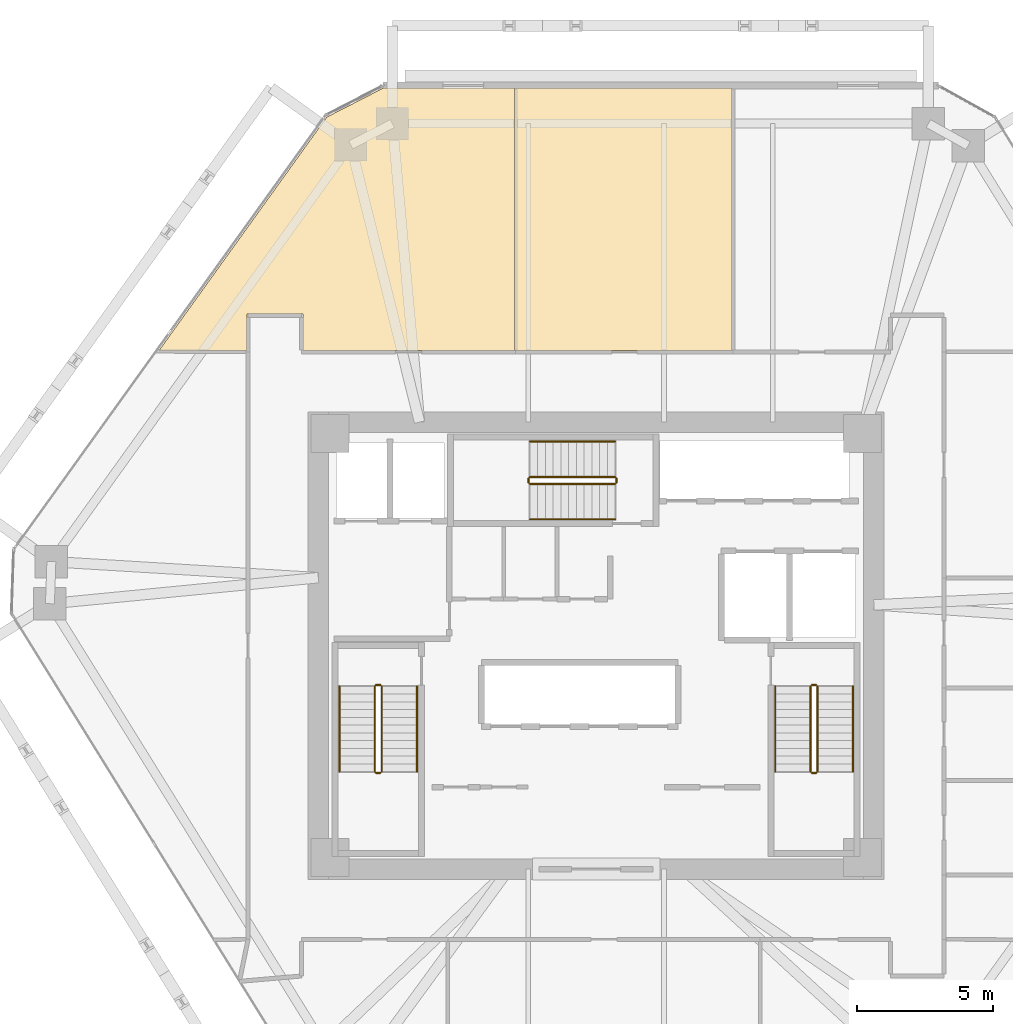
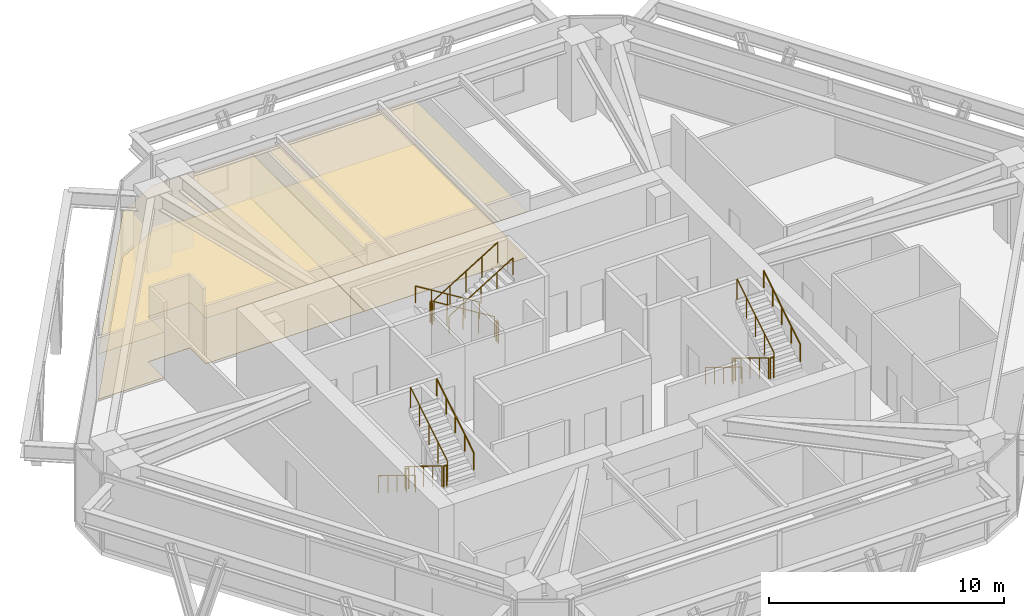
# One storey, part 13 of 14: 18 railings, 4 coverings.
"""IFC4 building model written with IfcOpenShell, lengths in metres."""

from ifc_helpers import new_model, si_unit, direction, frame, origin, origin_2d, place, context, subcontext, project, spatial, polyline, circle, outline, extrude, material, layer, layer_set, type_object, element, save


model = new_model("IFC4")

# Units and contexts
model_context = context("Model", 3, precision=1e-05, world=origin(), true_north=direction((0.0, 1.0)))
body_context = subcontext(model_context, "Body", "Model", "MODEL_VIEW")
ifc_project = project(units=[si_unit("LENGTHUNIT", "METRE"), si_unit("AREAUNIT", "SQUARE_METRE"), si_unit("VOLUMEUNIT", "CUBIC_METRE"), si_unit("PLANEANGLEUNIT", "RADIAN"), si_unit("MASSUNIT", "GRAM", prefix="KILO")], contexts=[model_context])

# Site, building, storey
site_placement = place(None, origin())
site = spatial("IfcSite", under=ifc_project, at=site_placement, CompositionType="ELEMENT")
building_placement = place(site_placement, origin())
building = spatial("IfcBuilding", under=site, at=building_placement, Name="Durnholm Broadcast Tower", CompositionType="ELEMENT")
storey_placement = place(building_placement, frame((0.0, 0.0, 93.300048828125)))
storey = spatial("IfcBuildingStorey", under=building, at=storey_placement, Name="L24", CompositionType="ELEMENT", Elevation=93.300048828125)

# Coverings
ifc_material_1 = material(Name="Mineral Fiber Acoustic Ceiling Tile", Category="concrete")
ifc_layer_1 = layer(ifc_material_1, 0.02490234375)
ifc_layer_set_1 = layer_set([ifc_layer_1], Name="Mineral Fiber Acoustic Ceiling Tile")
covering_type_1 = type_object("IfcCoveringType", Name="COV-CEIL-AC", PredefinedType="CEILING", material=ifc_layer_set_1)
covering_1_placement = place(storey_placement, frame((0.0, 0.0, 2.349853515625)))
element("IfcCovering", 1, at=covering_1_placement, inside=storey, type_object=covering_type_1, Name="L24 Open Plan Broadcast Workspace 2 acoustic ceiling", PredefinedType="CEILING", context=body_context, shape_type="SweptSolid", body=[
    extrude(outline(polyline([(-10.796875, 12.203857421875), (-10.79638671875, 12.20361328125), (-10.796142578125, 12.203125), (-10.7958984375, 12.202880859375), (-10.795654296875, 12.202392578125), (-10.79541015625, 12.201904296875), (-10.795166015625, 12.201416015625), (-10.795166015625, 12.200927734375), (-10.794921875, 12.200439453125), (-10.794921875, 12.199951171875), (-10.794921875, 10.85498046875), (-3.0048828125, 10.85498046875), (-3.0048828125, 20.530029296875), (-7.815673828125, 20.530029296875), (-9.91455078125, 19.453369140625), (-16.091796875, 10.85498046875), (-12.85498046875, 10.85498046875), (-12.85498046875, 12.199951171875), (-12.85498046875, 12.200439453125), (-12.85498046875, 12.200927734375), (-12.854736328125, 12.201416015625), (-12.8544921875, 12.201904296875), (-12.8544921875, 12.202392578125), (-12.854248046875, 12.202880859375), (-12.85400390625, 12.203125), (-12.853515625, 12.20361328125), (-12.853271484375, 12.203857421875), (-12.852783203125, 12.2041015625), (-12.852294921875, 12.204345703125), (-12.851806640625, 12.20458984375), (-12.8515625, 12.204833984375), (-12.85107421875, 12.204833984375), (-12.8505859375, 12.205078125), (-12.85009765625, 12.205078125), (-10.800048828125, 12.205078125), (-10.799560546875, 12.205078125), (-10.799072265625, 12.204833984375), (-10.798583984375, 12.204833984375), (-10.798095703125, 12.20458984375), (-10.797607421875, 12.204345703125), (-10.797119140625, 12.2041015625), (-10.796875, 12.203857421875)])), origin(), (0.0, 0.0, 1.0), 0.025146484375),
])
covering_2_placement = place(storey_placement, frame((0.0, 0.0, 2.349853515625)))
element("IfcCovering", 2, at=covering_2_placement, inside=storey, type_object=covering_type_1, Name="L24 Broadcast Espresso Dining Room acoustic ceiling", PredefinedType="CEILING", context=body_context, shape_type="SweptSolid", body=[
    extrude(outline(polyline([(-2.9951171875, 10.85498046875), (4.9951171875, 10.85498046875), (4.9951171875, 20.530029296875), (-2.9951171875, 20.530029296875), (-2.9951171875, 10.85498046875)])), origin(), (0.0, 0.0, 1.0), 0.025146484375),
])
ifc_material_2 = material(Name="Engineered Oak Acoustic Broadcast Flooring", Category="wood")
ifc_layer_2 = layer(ifc_material_2, 0.02001953125)
ifc_layer_set_2 = layer_set([ifc_layer_2], Name="Engineered Oak Acoustic Broadcast Flooring")
covering_type_2 = type_object("IfcCoveringType", Name="COV-FLR-OAK", PredefinedType="FLOORING", material=ifc_layer_set_2)
covering_3_placement = place(storey_placement, origin())
element("IfcCovering", 3, at=covering_3_placement, inside=storey, type_object=covering_type_2, Name="L24 Open Plan Broadcast Workspace 2 acoustic oak flooring", PredefinedType="FLOORING", context=body_context, shape_type="SweptSolid", body=[
    extrude(outline(polyline([(-10.796875, 12.203857421875), (-10.79638671875, 12.20361328125), (-10.796142578125, 12.203125), (-10.7958984375, 12.202880859375), (-10.795654296875, 12.202392578125), (-10.79541015625, 12.201904296875), (-10.795166015625, 12.201416015625), (-10.795166015625, 12.200927734375), (-10.794921875, 12.200439453125), (-10.794921875, 12.199951171875), (-10.794921875, 10.85498046875), (-3.0048828125, 10.85498046875), (-3.0048828125, 20.530029296875), (-7.815673828125, 20.530029296875), (-9.91455078125, 19.453369140625), (-16.091796875, 10.85498046875), (-12.85498046875, 10.85498046875), (-12.85498046875, 12.199951171875), (-12.85498046875, 12.200439453125), (-12.85498046875, 12.200927734375), (-12.854736328125, 12.201416015625), (-12.8544921875, 12.201904296875), (-12.8544921875, 12.202392578125), (-12.854248046875, 12.202880859375), (-12.85400390625, 12.203125), (-12.853515625, 12.20361328125), (-12.853271484375, 12.203857421875), (-12.852783203125, 12.2041015625), (-12.852294921875, 12.204345703125), (-12.851806640625, 12.20458984375), (-12.8515625, 12.204833984375), (-12.85107421875, 12.204833984375), (-12.8505859375, 12.205078125), (-12.85009765625, 12.205078125), (-10.800048828125, 12.205078125), (-10.799560546875, 12.205078125), (-10.799072265625, 12.204833984375), (-10.798583984375, 12.204833984375), (-10.798095703125, 12.20458984375), (-10.797607421875, 12.204345703125), (-10.797119140625, 12.2041015625), (-10.796875, 12.203857421875)])), origin(), (0.0, 0.0, 1.0), 0.02001953125),
])
covering_4_placement = place(storey_placement, origin())
element("IfcCovering", 4, at=covering_4_placement, inside=storey, type_object=covering_type_2, Name="L24 Broadcast Espresso Dining Room acoustic oak flooring", PredefinedType="FLOORING", context=body_context, shape_type="SweptSolid", body=[
    extrude(outline(polyline([(-2.9951171875, 10.85498046875), (4.9951171875, 10.85498046875), (4.9951171875, 20.530029296875), (-2.9951171875, 20.530029296875), (-2.9951171875, 10.85498046875)])), origin(), (0.0, 0.0, 1.0), 0.02001953125),
])

# Railings
ifc_material_3 = material(Name="Painted Tubular Steel Stair Guardrail", Category="steel")
railing_type_1 = type_object("IfcRailingType", Name="RAIL-ST-GRD", PredefinedType="GUARDRAIL", material=ifc_material_3)
railing_1_placement = place(storey_placement, frame((-8.14990234375, -1.5, 0.175048828125)))
element("IfcRailing", 5, at=railing_1_placement, inside=storey, type_object=railing_type_1, Name="L24 ST-1 stair guard 1", PredefinedType="GUARDRAIL", context=body_context, shape_type="SweptSolid", body=[
    extrude(circle(Radius=0.02392578125, at=origin_2d()), frame((0.0, 0.0, 1.076171875), z_axis=(0.0, -0.852195625947, 0.523223293744), x_axis=(1.0, 0.0, 0.0)), (0.0, 0.0, 1.0), 3.6787109375),
    extrude(circle(Radius=0.02099609375, at=origin_2d()), origin(), (0.0, 0.0, 1.0), 1.052001953125),
    extrude(circle(Radius=0.02099609375, at=origin_2d()), frame((0.0, -0.78369140625, 0.481201171875)), (0.0, 0.0, 1.0), 1.052001953125),
    extrude(circle(Radius=0.02099609375, at=origin_2d()), frame((0.0, -1.5673828125, 0.96240234375)), (0.0, 0.0, 1.0), 1.052001953125),
    extrude(circle(Radius=0.02099609375, at=origin_2d()), frame((0.0, -2.351318359375, 1.443603515625)), (0.0, 0.0, 1.0), 1.052001953125),
    extrude(circle(Radius=0.02099609375, at=origin_2d()), frame((0.0, -3.135009765625, 1.9248046875)), (0.0, 0.0, 1.0), 1.052001953125),
])
railing_2_placement = place(storey_placement, frame((-8.10009765625, -4.68505859375, 2.099853515625)))
element("IfcRailing", 6, at=railing_2_placement, inside=storey, type_object=railing_type_1, Name="L24 ST-1 stair guard 2", PredefinedType="GUARDRAIL", context=body_context, shape_type="SweptSolid", body=[
    extrude(circle(Radius=0.02392578125, at=origin_2d()), frame((0.0, 0.0, 1.076171875), z_axis=(1.0, 0.0, 0.0), x_axis=(0.0, 1.0, 0.0)), (0.0, 0.0, 1.0), 0.16015625),
    extrude(circle(Radius=0.02099609375, at=origin_2d()), origin(), (0.0, 0.0, 1.0), 1.052001953125),
    extrude(circle(Radius=0.02099609375, at=origin_2d()), frame((0.16015625, 0.0, 0.0)), (0.0, 0.0, 1.0), 1.052001953125),
])
railing_3_placement = place(storey_placement, frame((-7.889892578125, -4.635009765625, 2.27490234375)))
element("IfcRailing", 7, at=railing_3_placement, inside=storey, type_object=railing_type_1, Name="L24 ST-1 stair guard 3", PredefinedType="GUARDRAIL", context=body_context, shape_type="SweptSolid", body=[
    extrude(circle(Radius=0.02392578125, at=origin_2d()), frame((0.0, 0.0, 1.076171875), z_axis=(0.0, 0.852166034122, 0.523271488128), x_axis=(-1.0, 0.0, 0.0)), (0.0, 0.0, 1.0), 3.678955078125),
    extrude(circle(Radius=0.02099609375, at=origin_2d()), origin(), (0.0, 0.0, 1.0), 1.052001953125),
    extrude(circle(Radius=0.02099609375, at=origin_2d()), frame((0.0, 0.78369140625, 0.481201171875)), (0.0, 0.0, 1.0), 1.052001953125),
    extrude(circle(Radius=0.02099609375, at=origin_2d()), frame((0.0, 1.5673828125, 0.96240234375)), (0.0, 0.0, 1.0), 1.052001953125),
    extrude(circle(Radius=0.02099609375, at=origin_2d()), frame((0.0, 2.351318359375, 1.44384765625)), (0.0, 0.0, 1.0), 1.052001953125),
    extrude(circle(Radius=0.02099609375, at=origin_2d()), frame((0.0, 3.135009765625, 1.925048828125)), (0.0, 0.0, 1.0), 1.052001953125),
])
railing_4_placement = place(storey_placement, frame((-8.10009765625, -1.449951171875, 0.0)))
element("IfcRailing", 8, at=railing_4_placement, inside=storey, type_object=railing_type_1, Name="L24 ST-1 stair guard 4", PredefinedType="GUARDRAIL", context=body_context, shape_type="SweptSolid", body=[
    extrude(circle(Radius=0.02392578125, at=origin_2d()), frame((0.0, 0.0, 1.076171875), z_axis=(1.0, 0.0, 0.0), x_axis=(0.0, 1.0, 0.0)), (0.0, 0.0, 1.0), 0.16015625),
    extrude(circle(Radius=0.02099609375, at=origin_2d()), origin(), (0.0, 0.0, 1.0), 1.052001953125),
    extrude(circle(Radius=0.02099609375, at=origin_2d()), frame((0.16015625, 0.0, 0.0)), (0.0, 0.0, 1.0), 1.052001953125),
])
railing_5_placement = place(storey_placement, frame((7.889892578125, -1.5, 0.175048828125)))
element("IfcRailing", 9, at=railing_5_placement, inside=storey, type_object=railing_type_1, Name="L24 ST-2 stair guard 1", PredefinedType="GUARDRAIL", context=body_context, shape_type="SweptSolid", body=[
    extrude(circle(Radius=0.02392578125, at=origin_2d()), frame((0.0, 0.0, 1.076171875), z_axis=(0.0, -0.852195625947, 0.523223293744), x_axis=(1.0, 0.0, 0.0)), (0.0, 0.0, 1.0), 3.6787109375),
    extrude(circle(Radius=0.02099609375, at=origin_2d()), origin(), (0.0, 0.0, 1.0), 1.052001953125),
    extrude(circle(Radius=0.02099609375, at=origin_2d()), frame((0.0, -0.78369140625, 0.481201171875)), (0.0, 0.0, 1.0), 1.052001953125),
    extrude(circle(Radius=0.02099609375, at=origin_2d()), frame((0.0, -1.5673828125, 0.96240234375)), (0.0, 0.0, 1.0), 1.052001953125),
    extrude(circle(Radius=0.02099609375, at=origin_2d()), frame((0.0, -2.351318359375, 1.443603515625)), (0.0, 0.0, 1.0), 1.052001953125),
    extrude(circle(Radius=0.02099609375, at=origin_2d()), frame((0.0, -3.135009765625, 1.9248046875)), (0.0, 0.0, 1.0), 1.052001953125),
])
railing_6_placement = place(storey_placement, frame((7.93994140625, -4.68505859375, 2.099853515625)))
element("IfcRailing", 10, at=railing_6_placement, inside=storey, type_object=railing_type_1, Name="L24 ST-2 stair guard 2", PredefinedType="GUARDRAIL", context=body_context, shape_type="SweptSolid", body=[
    extrude(circle(Radius=0.02392578125, at=origin_2d()), frame((0.0, 0.0, 1.076171875), z_axis=(1.0, 0.0, 0.0), x_axis=(0.0, 1.0, 0.0)), (0.0, 0.0, 1.0), 0.16015625),
    extrude(circle(Radius=0.02099609375, at=origin_2d()), origin(), (0.0, 0.0, 1.0), 1.052001953125),
    extrude(circle(Radius=0.02099609375, at=origin_2d()), frame((0.16015625, 0.0, 0.0)), (0.0, 0.0, 1.0), 1.052001953125),
])
railing_7_placement = place(storey_placement, frame((8.14990234375, -4.635009765625, 2.27490234375)))
element("IfcRailing", 11, at=railing_7_placement, inside=storey, type_object=railing_type_1, Name="L24 ST-2 stair guard 3", PredefinedType="GUARDRAIL", context=body_context, shape_type="SweptSolid", body=[
    extrude(circle(Radius=0.02392578125, at=origin_2d()), frame((0.0, 0.0, 1.076171875), z_axis=(0.0, 0.852166034122, 0.523271488128), x_axis=(-1.0, 0.0, 0.0)), (0.0, 0.0, 1.0), 3.678955078125),
    extrude(circle(Radius=0.02099609375, at=origin_2d()), origin(), (0.0, 0.0, 1.0), 1.052001953125),
    extrude(circle(Radius=0.02099609375, at=origin_2d()), frame((0.0, 0.78369140625, 0.481201171875)), (0.0, 0.0, 1.0), 1.052001953125),
    extrude(circle(Radius=0.02099609375, at=origin_2d()), frame((0.0, 1.5673828125, 0.96240234375)), (0.0, 0.0, 1.0), 1.052001953125),
    extrude(circle(Radius=0.02099609375, at=origin_2d()), frame((0.0, 2.351318359375, 1.44384765625)), (0.0, 0.0, 1.0), 1.052001953125),
    extrude(circle(Radius=0.02099609375, at=origin_2d()), frame((0.0, 3.135009765625, 1.925048828125)), (0.0, 0.0, 1.0), 1.052001953125),
])
railing_8_placement = place(storey_placement, frame((7.93994140625, -1.449951171875, 0.0)))
element("IfcRailing", 12, at=railing_8_placement, inside=storey, type_object=railing_type_1, Name="L24 ST-2 stair guard 4", PredefinedType="GUARDRAIL", context=body_context, shape_type="SweptSolid", body=[
    extrude(circle(Radius=0.02392578125, at=origin_2d()), frame((0.0, 0.0, 1.076171875), z_axis=(1.0, 0.0, 0.0), x_axis=(0.0, 1.0, 0.0)), (0.0, 0.0, 1.0), 0.16015625),
    extrude(circle(Radius=0.02099609375, at=origin_2d()), origin(), (0.0, 0.0, 1.0), 1.052001953125),
    extrude(circle(Radius=0.02099609375, at=origin_2d()), frame((0.16015625, 0.0, 0.0)), (0.0, 0.0, 1.0), 1.052001953125),
])
railing_9_placement = place(storey_placement, frame((0.699951171875, 6.2099609375, 0.175048828125)))
element("IfcRailing", 13, at=railing_9_placement, inside=storey, type_object=railing_type_1, Name="L24 ST-3 stair guard 1", PredefinedType="GUARDRAIL", context=body_context, shape_type="SweptSolid", body=[
    extrude(circle(Radius=0.02392578125, at=origin_2d()), frame((0.0, 0.0, 1.076171875), z_axis=(-0.852195625947, 0.0, 0.523223293744), x_axis=(0.0, -1.0, 0.0)), (0.0, 0.0, 1.0), 3.6787109375),
    extrude(circle(Radius=0.02099609375, at=origin_2d()), origin(), (0.0, 0.0, 1.0), 1.052001953125),
    extrude(circle(Radius=0.02099609375, at=origin_2d()), frame((-0.78369140625, 0.0, 0.481201171875)), (0.0, 0.0, 1.0), 1.052001953125),
    extrude(circle(Radius=0.02099609375, at=origin_2d()), frame((-1.5673828125, 0.0, 0.96240234375)), (0.0, 0.0, 1.0), 1.052001953125),
    extrude(circle(Radius=0.02099609375, at=origin_2d()), frame((-2.351318359375, 0.0, 1.443603515625)), (0.0, 0.0, 1.0), 1.052001953125),
    extrude(circle(Radius=0.02099609375, at=origin_2d()), frame((-3.135009765625, 0.0, 1.9248046875)), (0.0, 0.0, 1.0), 1.052001953125),
])
railing_10_placement = place(storey_placement, frame((-2.485107421875, 6.159912109375, 2.099853515625)))
element("IfcRailing", 14, at=railing_10_placement, inside=storey, type_object=railing_type_1, Name="L24 ST-3 stair guard 2", PredefinedType="GUARDRAIL", context=body_context, shape_type="SweptSolid", body=[
    extrude(circle(Radius=0.02392578125, at=origin_2d()), frame((0.0, 0.0, 1.076171875), z_axis=(0.0, -1.0, 0.0), x_axis=(1.0, 0.0, 0.0)), (0.0, 0.0, 1.0), 0.159912109375),
    extrude(circle(Radius=0.02099609375, at=origin_2d()), origin(), (0.0, 0.0, 1.0), 1.052001953125),
    extrude(circle(Radius=0.02099609375, at=origin_2d()), frame((0.0, -0.159912109375, 0.0)), (0.0, 0.0, 1.0), 1.052001953125),
])
railing_11_placement = place(storey_placement, frame((-2.43505859375, 5.949951171875, 2.27490234375)))
element("IfcRailing", 15, at=railing_11_placement, inside=storey, type_object=railing_type_1, Name="L24 ST-3 stair guard 3", PredefinedType="GUARDRAIL", context=body_context, shape_type="SweptSolid", body=[
    extrude(circle(Radius=0.02392578125, at=origin_2d()), frame((0.0, 0.0, 1.076171875), z_axis=(0.852166034122, 0.0, 0.523271488128), x_axis=(0.0, 1.0, 0.0)), (0.0, 0.0, 1.0), 3.678955078125),
    extrude(circle(Radius=0.02099609375, at=origin_2d()), origin(), (0.0, 0.0, 1.0), 1.052001953125),
    extrude(circle(Radius=0.02099609375, at=origin_2d()), frame((0.78369140625, 0.0, 0.481201171875)), (0.0, 0.0, 1.0), 1.052001953125),
    extrude(circle(Radius=0.02099609375, at=origin_2d()), frame((1.5673828125, 0.0, 0.96240234375)), (0.0, 0.0, 1.0), 1.052001953125),
    extrude(circle(Radius=0.02099609375, at=origin_2d()), frame((2.351318359375, 0.0, 1.44384765625)), (0.0, 0.0, 1.0), 1.052001953125),
    extrude(circle(Radius=0.02099609375, at=origin_2d()), frame((3.135009765625, 0.0, 1.925048828125)), (0.0, 0.0, 1.0), 1.052001953125),
])
railing_12_placement = place(storey_placement, frame((0.75, 6.159912109375, 0.0)))
element("IfcRailing", 16, at=railing_12_placement, inside=storey, type_object=railing_type_1, Name="L24 ST-3 stair guard 4", PredefinedType="GUARDRAIL", context=body_context, shape_type="SweptSolid", body=[
    extrude(circle(Radius=0.02392578125, at=origin_2d()), frame((0.0, 0.0, 1.076171875), z_axis=(0.0, -1.0, 0.0), x_axis=(1.0, 0.0, 0.0)), (0.0, 0.0, 1.0), 0.159912109375),
    extrude(circle(Radius=0.02099609375, at=origin_2d()), origin(), (0.0, 0.0, 1.0), 1.052001953125),
    extrude(circle(Radius=0.02099609375, at=origin_2d()), frame((0.0, -0.159912109375, 0.0)), (0.0, 0.0, 1.0), 1.052001953125),
])
ifc_material_4 = material(Name="Brushed Stainless Steel Handrail", Category="steel")
railing_type_2 = type_object("IfcRailingType", Name="RAIL-ST-HND", PredefinedType="HANDRAIL", material=ifc_material_4)
railing_13_placement = place(storey_placement, frame((-9.449951171875, -1.5, 0.349853515625)))
element("IfcRailing", 17, at=railing_13_placement, inside=storey, type_object=railing_type_2, Name="L24 ST-1 stair handrail 1", PredefinedType="HANDRAIL", context=body_context, shape_type="SweptSolid", body=[
    extrude(circle(Radius=0.02392578125, at=origin_2d()), frame((0.0, 0.0, 0.8759765625), z_axis=(0.0, -0.852166034122, 0.523271488128), x_axis=(1.0, 0.0, 0.0)), (0.0, 0.0, 1.0), 3.678955078125),
    extrude(circle(Radius=0.02099609375, at=origin_2d()), origin(), (0.0, 0.0, 1.0), 0.851806640625),
    extrude(circle(Radius=0.02099609375, at=origin_2d()), frame((0.0, -0.78369140625, 0.481201171875)), (0.0, 0.0, 1.0), 0.851806640625),
    extrude(circle(Radius=0.02099609375, at=origin_2d()), frame((0.0, -1.5673828125, 0.96240234375)), (0.0, 0.0, 1.0), 0.851806640625),
    extrude(circle(Radius=0.02099609375, at=origin_2d()), frame((0.0, -2.351318359375, 1.44384765625)), (0.0, 0.0, 1.0), 0.851806640625),
    extrude(circle(Radius=0.02099609375, at=origin_2d()), frame((0.0, -3.135009765625, 1.925048828125)), (0.0, 0.0, 1.0), 0.851806640625),
])
railing_14_placement = place(storey_placement, frame((-6.590087890625, -4.635009765625, 2.449951171875)))
element("IfcRailing", 18, at=railing_14_placement, inside=storey, type_object=railing_type_2, Name="L24 ST-1 stair handrail 2", PredefinedType="HANDRAIL", context=body_context, shape_type="SweptSolid", body=[
    extrude(circle(Radius=0.02392578125, at=origin_2d()), frame((0.0, 0.0, 0.8759765625), z_axis=(0.0, 0.852166034122, 0.523271488128), x_axis=(-1.0, 0.0, 0.0)), (0.0, 0.0, 1.0), 3.678955078125),
    extrude(circle(Radius=0.02099609375, at=origin_2d()), origin(), (0.0, 0.0, 1.0), 0.851806640625),
    extrude(circle(Radius=0.02099609375, at=origin_2d()), frame((0.0, 0.78369140625, 0.481201171875)), (0.0, 0.0, 1.0), 0.851806640625),
    extrude(circle(Radius=0.02099609375, at=origin_2d()), frame((0.0, 1.5673828125, 0.96240234375)), (0.0, 0.0, 1.0), 0.851806640625),
    extrude(circle(Radius=0.02099609375, at=origin_2d()), frame((0.0, 2.351318359375, 1.44384765625)), (0.0, 0.0, 1.0), 0.851806640625),
    extrude(circle(Radius=0.02099609375, at=origin_2d()), frame((0.0, 3.135009765625, 1.925048828125)), (0.0, 0.0, 1.0), 0.851806640625),
])
railing_15_placement = place(storey_placement, frame((6.590087890625, -1.5, 0.349853515625)))
element("IfcRailing", 19, at=railing_15_placement, inside=storey, type_object=railing_type_2, Name="L24 ST-2 stair handrail 1", PredefinedType="HANDRAIL", context=body_context, shape_type="SweptSolid", body=[
    extrude(circle(Radius=0.02392578125, at=origin_2d()), frame((0.0, 0.0, 0.8759765625), z_axis=(0.0, -0.852166034122, 0.523271488128), x_axis=(1.0, 0.0, 0.0)), (0.0, 0.0, 1.0), 3.678955078125),
    extrude(circle(Radius=0.02099609375, at=origin_2d()), origin(), (0.0, 0.0, 1.0), 0.851806640625),
    extrude(circle(Radius=0.02099609375, at=origin_2d()), frame((0.0, -0.78369140625, 0.481201171875)), (0.0, 0.0, 1.0), 0.851806640625),
    extrude(circle(Radius=0.02099609375, at=origin_2d()), frame((0.0, -1.5673828125, 0.96240234375)), (0.0, 0.0, 1.0), 0.851806640625),
    extrude(circle(Radius=0.02099609375, at=origin_2d()), frame((0.0, -2.351318359375, 1.44384765625)), (0.0, 0.0, 1.0), 0.851806640625),
    extrude(circle(Radius=0.02099609375, at=origin_2d()), frame((0.0, -3.135009765625, 1.925048828125)), (0.0, 0.0, 1.0), 0.851806640625),
])
railing_16_placement = place(storey_placement, frame((9.449951171875, -4.635009765625, 2.449951171875)))
element("IfcRailing", 20, at=railing_16_placement, inside=storey, type_object=railing_type_2, Name="L24 ST-2 stair handrail 2", PredefinedType="HANDRAIL", context=body_context, shape_type="SweptSolid", body=[
    extrude(circle(Radius=0.02392578125, at=origin_2d()), frame((0.0, 0.0, 0.8759765625), z_axis=(0.0, 0.852166034122, 0.523271488128), x_axis=(-1.0, 0.0, 0.0)), (0.0, 0.0, 1.0), 3.678955078125),
    extrude(circle(Radius=0.02099609375, at=origin_2d()), origin(), (0.0, 0.0, 1.0), 0.851806640625),
    extrude(circle(Radius=0.02099609375, at=origin_2d()), frame((0.0, 0.78369140625, 0.481201171875)), (0.0, 0.0, 1.0), 0.851806640625),
    extrude(circle(Radius=0.02099609375, at=origin_2d()), frame((0.0, 1.5673828125, 0.96240234375)), (0.0, 0.0, 1.0), 0.851806640625),
    extrude(circle(Radius=0.02099609375, at=origin_2d()), frame((0.0, 2.351318359375, 1.44384765625)), (0.0, 0.0, 1.0), 0.851806640625),
    extrude(circle(Radius=0.02099609375, at=origin_2d()), frame((0.0, 3.135009765625, 1.925048828125)), (0.0, 0.0, 1.0), 0.851806640625),
])
railing_17_placement = place(storey_placement, frame((0.699951171875, 7.510009765625, 0.349853515625)))
element("IfcRailing", 21, at=railing_17_placement, inside=storey, type_object=railing_type_2, Name="L24 ST-3 stair handrail 1", PredefinedType="HANDRAIL", context=body_context, shape_type="SweptSolid", body=[
    extrude(circle(Radius=0.02392578125, at=origin_2d()), frame((0.0, 0.0, 0.8759765625), z_axis=(-0.852166034122, 0.0, 0.523271488128), x_axis=(0.0, -1.0, 0.0)), (0.0, 0.0, 1.0), 3.678955078125),
    extrude(circle(Radius=0.02099609375, at=origin_2d()), origin(), (0.0, 0.0, 1.0), 0.851806640625),
    extrude(circle(Radius=0.02099609375, at=origin_2d()), frame((-0.78369140625, 0.0, 0.481201171875)), (0.0, 0.0, 1.0), 0.851806640625),
    extrude(circle(Radius=0.02099609375, at=origin_2d()), frame((-1.5673828125, 0.0, 0.96240234375)), (0.0, 0.0, 1.0), 0.851806640625),
    extrude(circle(Radius=0.02099609375, at=origin_2d()), frame((-2.351318359375, 0.0, 1.44384765625)), (0.0, 0.0, 1.0), 0.851806640625),
    extrude(circle(Radius=0.02099609375, at=origin_2d()), frame((-3.135009765625, 0.0, 1.925048828125)), (0.0, 0.0, 1.0), 0.851806640625),
])
railing_18_placement = place(storey_placement, frame((-2.43505859375, 4.64990234375, 2.449951171875)))
element("IfcRailing", 22, at=railing_18_placement, inside=storey, type_object=railing_type_2, Name="L24 ST-3 stair handrail 2", PredefinedType="HANDRAIL", context=body_context, shape_type="SweptSolid", body=[
    extrude(circle(Radius=0.02392578125, at=origin_2d()), frame((0.0, 0.0, 0.8759765625), z_axis=(0.852166034122, 0.0, 0.523271488128), x_axis=(0.0, 1.0, 0.0)), (0.0, 0.0, 1.0), 3.678955078125),
    extrude(circle(Radius=0.02099609375, at=origin_2d()), origin(), (0.0, 0.0, 1.0), 0.851806640625),
    extrude(circle(Radius=0.02099609375, at=origin_2d()), frame((0.78369140625, 0.0, 0.481201171875)), (0.0, 0.0, 1.0), 0.851806640625),
    extrude(circle(Radius=0.02099609375, at=origin_2d()), frame((1.5673828125, 0.0, 0.96240234375)), (0.0, 0.0, 1.0), 0.851806640625),
    extrude(circle(Radius=0.02099609375, at=origin_2d()), frame((2.351318359375, 0.0, 1.44384765625)), (0.0, 0.0, 1.0), 0.851806640625),
    extrude(circle(Radius=0.02099609375, at=origin_2d()), frame((3.135009765625, 0.0, 1.925048828125)), (0.0, 0.0, 1.0), 0.851806640625),
])

save(model, "model.ifc")
